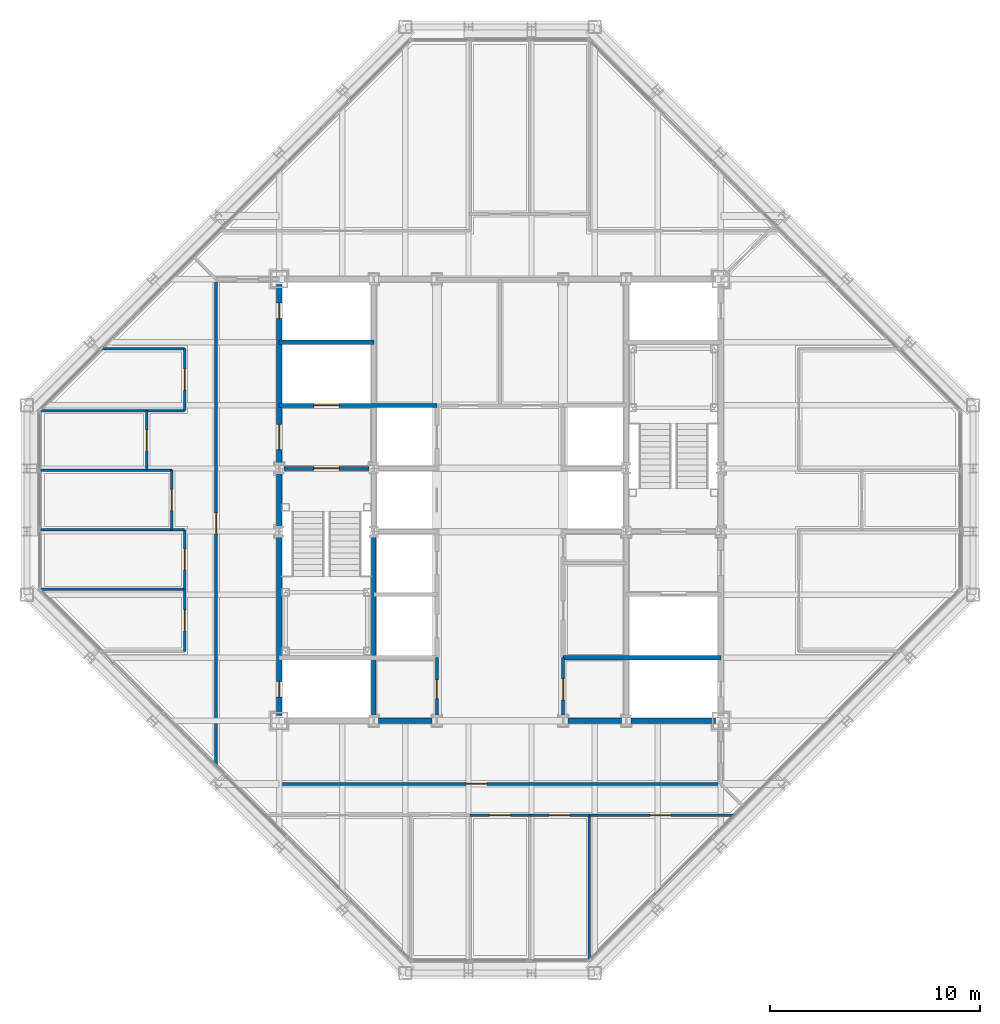
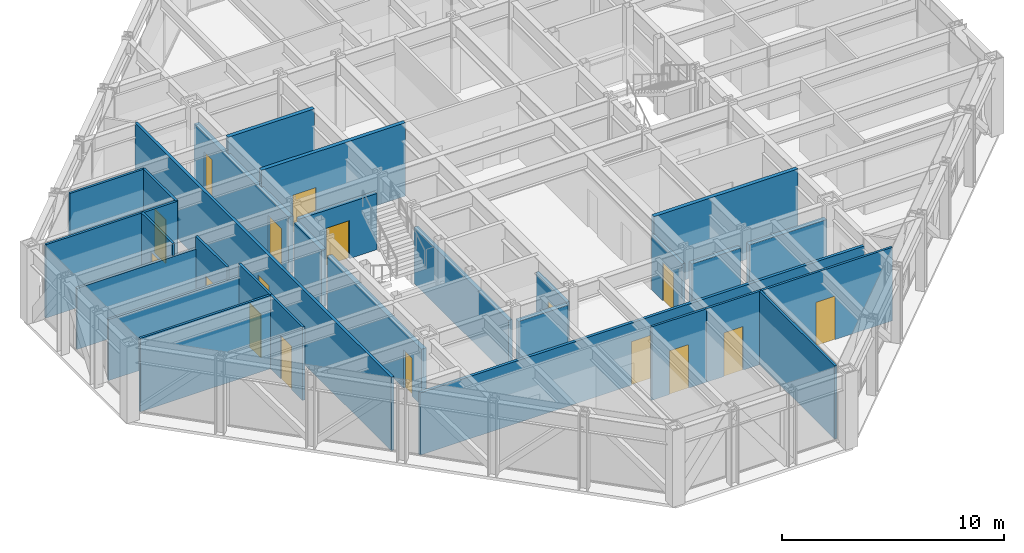
# One storey, part 10 of 15: 29 walls, 17 doors, 17 openings.
"""IFC4 building model written with IfcOpenShell, lengths in metres."""

from ifc_helpers import new_model, si_unit, direction, frame, frame_2d, origin, place, context, subcontext, project, spatial, rectangle, extrude, material, layer, layer_set, type_object, element, fill, save


model = new_model("IFC4")

# Units and contexts
model_context = context("Model", 3, precision=1e-05, world=origin(), true_north=direction((0.0, 1.0)))
body_context = subcontext(model_context, "Body", "Model", "MODEL_VIEW")
ifc_project = project(units=[si_unit("LENGTHUNIT", "METRE"), si_unit("AREAUNIT", "SQUARE_METRE"), si_unit("VOLUMEUNIT", "CUBIC_METRE"), si_unit("PLANEANGLEUNIT", "RADIAN"), si_unit("MASSUNIT", "GRAM", prefix="KILO")], contexts=[model_context])

# Site, building, storey
site_placement = place(None, origin())
site = spatial("IfcSite", under=ifc_project, at=site_placement, CompositionType="ELEMENT")
building_placement = place(site_placement, origin())
building = spatial("IfcBuilding", under=site, at=building_placement, Name="Chuquiago Exchange Tower", CompositionType="ELEMENT")
storey_placement = place(building_placement, frame((0.0, 0.0, 274.800048828125)))
storey = spatial("IfcBuildingStorey", under=building, at=storey_placement, Name="L61", CompositionType="ELEMENT", Elevation=274.800048828125)

# Wall, opening, door
ifc_material_1 = material(Name="Concrete masonry, fully grouted", Category="masonry")
ifc_layer_1 = layer(ifc_material_1, 0.25)
ifc_layer_set_1 = layer_set([ifc_layer_1], Name="W1 core wall 250")
wall_type_1 = type_object("IfcWallType", Name="W1 core wall 250", PredefinedType="SOLIDWALL", material=ifc_layer_set_1)
wall_1_placement = place(storey_placement, frame((12.0, 12.25, 0.0), z_axis=(0.0, 0.0, 1.0), x_axis=(0.0, 1.0, 0.0)))
wall_1 = element("IfcWall", 1, at=wall_1_placement, inside=storey, type_object=wall_type_1, Name="CW-L61-00-0", PredefinedType="SOLIDWALL", context=body_context, shape_type="SweptSolid", body=[
    extrude(rectangle(XDim=8.5, YDim=0.25, at=frame_2d((4.25, 0.0))), origin(), (0.0, 0.0, 1.0), 3.11279296875),
])
opening_1_placement = place(wall_1_placement, frame((0.875, 0.0, 0.0)))
opening_1 = element("IfcOpeningElement", 2, at=opening_1_placement, cuts=wall_1, Name="Opening L61-007", PredefinedType="OPENING", context=body_context, shape_type="SweptSolid", body=[
    extrude(rectangle(XDim=0.75, YDim=2.10009765625, at=frame_2d((0.375, 1.050048828125))), frame((0.0, 0.135009765625, 0.0), z_axis=(0.0, -1.0, 0.0), x_axis=(1.0, 0.0, 0.0)), (0.0, 0.0, 1.0), 0.27001953125),
])
ifc_material_2 = material(Name="Steel door, painted", Category="steel")
door_type_1 = type_object("IfcDoorType", Name="D6 riser access door 750x2100", OperationType="SINGLE_SWING_LEFT", PredefinedType="DOOR", material=ifc_material_2)
door_1_placement = place(opening_1_placement, origin())
door_1 = element("IfcDoor", 3, at=door_1_placement, inside=storey, type_object=door_type_1, Name="Riser RW1 door", OperationType="SINGLE_SWING_LEFT", OverallHeight=2.10009765625, OverallWidth=0.75, PredefinedType="DOOR", context=body_context, shape_type="SweptSolid", body=[
    extrude(rectangle(XDim=0.75, YDim=2.10009765625, at=frame_2d((0.375, 1.050048828125))), frame((0.0, 0.02490234375, 0.0), z_axis=(0.0, -1.0, 0.0), x_axis=(1.0, 0.0, 0.0)), (0.0, 0.0, 1.0), 0.050048828125),
])
fill(opening_1, door_1)

# Wall
wall_2_placement = place(storey_placement, frame((12.0, 21.25, 0.0), z_axis=(0.0, 0.0, 1.0), x_axis=(0.0, 1.0, 0.0)))
element("IfcWall", 4, at=wall_2_placement, inside=storey, type_object=wall_type_1, Name="CW-L61-00-1", PredefinedType="SOLIDWALL", context=body_context, shape_type="SweptSolid", body=[
    extrude(rectangle(XDim=2.5, YDim=0.25, at=frame_2d((1.25, 0.0))), origin(), (0.0, 0.0, 1.0), 3.11279296875),
])

# Wall, openings, doors
wall_3_placement = place(storey_placement, frame((12.0, 24.25, 0.0), z_axis=(0.0, 0.0, 1.0), x_axis=(0.0, 1.0, 0.0)))
wall_3 = element("IfcWall", 5, at=wall_3_placement, inside=storey, type_object=wall_type_1, Name="CW-L61-00-2", PredefinedType="SOLIDWALL", context=body_context, shape_type="SweptSolid", body=[
    extrude(rectangle(XDim=8.5, YDim=0.25, at=frame_2d((4.25, 0.0))), origin(), (0.0, 0.0, 1.0), 3.11279296875),
])
opening_2_placement = place(wall_3_placement, frame((0.64990234375, 0.0, 0.0)))
opening_2 = element("IfcOpeningElement", 6, at=opening_2_placement, cuts=wall_3, Name="Opening L61-002", PredefinedType="OPENING", context=body_context, shape_type="SweptSolid", body=[
    extrude(rectangle(XDim=1.199951171875, YDim=2.10009765625, at=frame_2d((0.60009765625, 1.050048828125))), frame((0.0, 0.135009765625, 0.0), z_axis=(0.0, -1.0, 0.0), x_axis=(1.0, 0.0, 0.0)), (0.0, 0.0, 1.0), 0.27001953125),
])
opening_3_placement = place(wall_3_placement, frame((6.875, 0.0, 0.0)))
opening_3 = element("IfcOpeningElement", 7, at=opening_3_placement, cuts=wall_3, Name="Opening L61-008", PredefinedType="OPENING", context=body_context, shape_type="SweptSolid", body=[
    extrude(rectangle(XDim=0.75, YDim=2.10009765625, at=frame_2d((0.375, 1.050048828125))), frame((0.0, 0.135009765625, 0.0), z_axis=(0.0, -1.0, 0.0), x_axis=(1.0, 0.0, 0.0)), (0.0, 0.0, 1.0), 0.27001953125),
])
ifc_material_3 = material(Name="Steel door, painted", Category="steel")
door_type_2 = type_object("IfcDoorType", Name="D5 firefighting lobby door 1200x2100", OperationType="SINGLE_SWING_LEFT", PredefinedType="DOOR", material=ifc_material_3)
door_2_placement = place(opening_2_placement, frame((1.199951171875, 0.0, 0.0), z_axis=(0.0, 0.0, 1.0), x_axis=(-1.0, 0.0, 0.0)))
door_2 = element("IfcDoor", 8, at=door_2_placement, inside=storey, type_object=door_type_2, Name="Firefighting lobby 1 door", OperationType="SINGLE_SWING_RIGHT", OverallHeight=2.10009765625, OverallWidth=1.199951171875, PredefinedType="DOOR", context=body_context, shape_type="SweptSolid", body=[
    extrude(rectangle(XDim=1.199951171875, YDim=2.10009765625, at=frame_2d((0.60009765625, 1.050048828125))), frame((0.0, 0.02490234375, 0.0), z_axis=(0.0, -1.0, 0.0), x_axis=(1.0, 0.0, 0.0)), (0.0, 0.0, 1.0), 0.050048828125),
])
fill(opening_2, door_2)
door_3_placement = place(opening_3_placement, origin())
door_3 = element("IfcDoor", 9, at=door_3_placement, inside=storey, type_object=door_type_1, Name="Riser RW2 door", OperationType="SINGLE_SWING_RIGHT", OverallHeight=2.10009765625, OverallWidth=0.75, PredefinedType="DOOR", context=body_context, shape_type="SweptSolid", body=[
    extrude(rectangle(XDim=0.75, YDim=2.10009765625, at=frame_2d((0.375, 1.050048828125))), frame((0.0, 0.02490234375, 0.0), z_axis=(0.0, -1.0, 0.0), x_axis=(1.0, 0.0, 0.0)), (0.0, 0.0, 1.0), 0.050048828125),
])
fill(opening_3, door_3)

# Walls
for number, where, z_axis, x_axis, name in (
    (10, (16.724853515625, 12.0, 0.0), (0.0, 0.0, 1.0), (1.0, 0.0, 0.0), "CW-L61-01-1"),
    (11, (25.724853515625, 12.0, 0.0), (0.0, 0.0, 1.0), (1.0, 0.0, 0.0), "CW-L61-02-0"),
):
    element("IfcWall", number, at=place(storey_placement, frame(where, z_axis=z_axis, x_axis=x_axis)), inside=storey, type_object=wall_type_1, Name=name, PredefinedType="SOLIDWALL", context=body_context, shape_type="SweptSolid", body=[
        extrude(rectangle(XDim=2.55029296875, YDim=0.25, at=frame_2d((1.275146484375, 0.0))), origin(), (0.0, 0.0, 1.0), 3.181396484375),
    ])
wall_4_placement = place(storey_placement, frame((28.724853515625, 12.0, 0.0), z_axis=(0.0, 0.0, 1.0), x_axis=(1.0, 0.0, 0.0)))
element("IfcWall", 12, at=wall_4_placement, inside=storey, type_object=wall_type_1, Name="CW-L61-02-1", PredefinedType="SOLIDWALL", context=body_context, shape_type="SweptSolid", body=[
    extrude(rectangle(XDim=4.025146484375, YDim=0.25, at=frame_2d((2.0126953125, 0.0))), origin(), (0.0, 0.0, 1.0), 3.181396484375),
])

# Wall, opening, door
ifc_material_4 = material(Name="Gypsum board on steel studs, acoustic insulation", Category="steel")
ifc_layer_2 = layer(ifc_material_4, 0.14990234375)
ifc_layer_set_2 = layer_set([ifc_layer_2], Name="W11 corridor wall 150")
wall_type_2 = type_object("IfcWallType", Name="W11 corridor wall 150", PredefinedType="PARTITIONING", material=ifc_layer_set_2)
wall_5_placement = place(storey_placement, frame((9.885498046875, 9.0, 0.0), z_axis=(0.0, 0.0, 1.0), x_axis=(1.0, 0.0, 0.0)))
wall_5 = element("IfcWall", 13, at=wall_5_placement, inside=storey, type_object=wall_type_2, Name="PW-L61-GS0", PredefinedType="PARTITIONING", context=body_context, shape_type="SweptSolid", body=[
    extrude(rectangle(XDim=23.114501953125, YDim=0.14990234375, at=frame_2d((11.55712890625, 0.0))), origin(), (0.0, 0.0, 1.0), 3.427734375),
])
opening_4_placement = place(wall_5_placement, frame((11.005615234375, 0.0, 0.0)))
opening_4 = element("IfcOpeningElement", 14, at=opening_4_placement, cuts=wall_5, Name="Opening L61-038", PredefinedType="OPENING", context=body_context, shape_type="SweptSolid", body=[
    extrude(rectangle(XDim=1.0, YDim=2.39990234375, at=frame_2d((0.5, 1.199951171875))), frame((0.0, 0.0849609375, 0.0), z_axis=(0.0, -1.0, 0.0), x_axis=(1.0, 0.0, 0.0)), (0.0, 0.0, 1.0), 0.169921875),
])
ifc_material_5 = material(Name="Timber door, laminate faced", Category="wood")
door_type_3 = type_object("IfcDoorType", Name="D9 room door 1000x2400", OperationType="SINGLE_SWING_LEFT", PredefinedType="DOOR", material=ifc_material_5)
door_4_placement = place(opening_4_placement, frame((1.0, 0.0, 0.0), z_axis=(0.0, 0.0, 1.0), x_axis=(-1.0, 0.0, 0.0)))
door_4 = element("IfcDoor", 15, at=door_4_placement, inside=storey, type_object=door_type_3, Name="Team area door", OperationType="SINGLE_SWING_RIGHT", OverallHeight=2.39990234375, OverallWidth=1.0, PredefinedType="DOOR", context=body_context, shape_type="SweptSolid", body=[
    extrude(rectangle(XDim=1.0, YDim=2.39990234375, at=frame_2d((0.5, 1.199951171875))), frame((0.0, 0.02490234375, 0.0), z_axis=(0.0, -1.0, 0.0), x_axis=(1.0, 0.0, 0.0)), (0.0, 0.0, 1.0), 0.050048828125),
])
fill(opening_4, door_4)

wall_6_placement = place(storey_placement, frame((9.0, 9.885498046875, 0.0), z_axis=(0.0, 0.0, 1.0), x_axis=(0.0, 1.0, 0.0)))
wall_6 = element("IfcWall", 16, at=wall_6_placement, inside=storey, type_object=wall_type_2, Name="PW-L61-GW0", PredefinedType="PARTITIONING", context=body_context, shape_type="SweptSolid", body=[
    extrude(rectangle(XDim=23.114501953125, YDim=0.14990234375, at=frame_2d((11.55712890625, 0.0))), origin(), (0.0, 0.0, 1.0), 4.0400390625),
])
opening_5_placement = place(wall_6_placement, frame((11.005615234375, 0.0, 0.0)))
opening_5 = element("IfcOpeningElement", 17, at=opening_5_placement, cuts=wall_6, Name="Opening L61-039", PredefinedType="OPENING", context=body_context, shape_type="SweptSolid", body=[
    extrude(rectangle(XDim=1.0, YDim=2.39990234375, at=frame_2d((0.5, 1.199951171875))), frame((0.0, 0.0849609375, 0.0), z_axis=(0.0, -1.0, 0.0), x_axis=(1.0, 0.0, 0.0)), (0.0, 0.0, 1.0), 0.169921875),
])
door_5_placement = place(opening_5_placement, origin())
door_5 = element("IfcDoor", 18, at=door_5_placement, inside=storey, type_object=door_type_3, Name="Team area door", OperationType="SINGLE_SWING_LEFT", OverallHeight=2.39990234375, OverallWidth=1.0, PredefinedType="DOOR", context=body_context, shape_type="SweptSolid", body=[
    extrude(rectangle(XDim=1.0, YDim=2.39990234375, at=frame_2d((0.5, 1.199951171875))), frame((0.0, 0.02490234375, 0.0), z_axis=(0.0, -1.0, 0.0), x_axis=(1.0, 0.0, 0.0)), (0.0, 0.0, 1.0), 0.050048828125),
])
fill(opening_5, door_5)

# Wall
ifc_material_6 = material(Name="Concrete masonry, fully grouted", Category="masonry")
ifc_layer_3 = layer(ifc_material_6, 0.199951171875)
ifc_layer_set_3 = layer_set([ifc_layer_3], Name="W2 shaft wall 200")
wall_type_3 = type_object("IfcWallType", Name="W2 shaft wall 200", PredefinedType="SOLIDWALL", material=ifc_layer_set_3)
wall_7_placement = place(storey_placement, frame((25.5, 15.0, 0.0), z_axis=(0.0, 0.0, 1.0), x_axis=(1.0, 0.0, 0.0)))
element("IfcWall", 19, at=wall_7_placement, inside=storey, type_object=wall_type_3, Name="CW-L61-04-0", PredefinedType="SOLIDWALL", context=body_context, shape_type="SweptSolid", body=[
    extrude(rectangle(XDim=7.5, YDim=0.199951171875, at=frame_2d((3.75, 0.0))), origin(), (0.0, 0.0, 1.0), 4.0400390625),
])

# Wall, opening, door
wall_8_placement = place(storey_placement, frame((12.224853515625, 24.0, 0.0), z_axis=(0.0, 0.0, 1.0), x_axis=(1.0, 0.0, 0.0)))
wall_8 = element("IfcWall", 20, at=wall_8_placement, inside=storey, type_object=wall_type_3, Name="CW-L61-05-0", PredefinedType="SOLIDWALL", context=body_context, shape_type="SweptSolid", body=[
    extrude(rectangle(XDim=4.05029296875, YDim=0.199951171875, at=frame_2d((2.025146484375, 0.0))), origin(), (0.0, 0.0, 1.0), 3.08984375),
])
opening_6_placement = place(wall_8_placement, frame((1.42529296875, 0.0, 0.0)))
opening_6 = element("IfcOpeningElement", 21, at=opening_6_placement, cuts=wall_8, Name="Opening L61-001", PredefinedType="OPENING", context=body_context, shape_type="SweptSolid", body=[
    extrude(rectangle(XDim=1.199951171875, YDim=2.10009765625, at=frame_2d((0.60009765625, 1.050048828125))), frame((0.0, 0.10986328125, 0.0), z_axis=(0.0, -1.0, 0.0), x_axis=(1.0, 0.0, 0.0)), (0.0, 0.0, 1.0), 0.219970703125),
])
ifc_material_7 = material(Name="Steel door, painted", Category="steel")
door_type_4 = type_object("IfcDoorType", Name="D4 stair door 1200x2100", OperationType="SINGLE_SWING_LEFT", PredefinedType="DOOR", material=ifc_material_7)
door_6_placement = place(opening_6_placement, frame((1.199951171875, 0.0, 0.0), z_axis=(0.0, 0.0, 1.0), x_axis=(-1.0, 0.0, 0.0)))
door_6 = element("IfcDoor", 22, at=door_6_placement, inside=storey, type_object=door_type_4, Name="Stair ST1 door", OperationType="SINGLE_SWING_RIGHT", OverallHeight=2.10009765625, OverallWidth=1.199951171875, PredefinedType="DOOR", context=body_context, shape_type="SweptSolid", body=[
    extrude(rectangle(XDim=1.199951171875, YDim=2.10009765625, at=frame_2d((0.60009765625, 1.050048828125))), frame((0.0, 0.02490234375, 0.0), z_axis=(0.0, -1.0, 0.0), x_axis=(1.0, 0.0, 0.0)), (0.0, 0.0, 1.0), 0.050048828125),
])
fill(opening_6, door_6)

wall_9_placement = place(storey_placement, frame((12.0, 27.0, 0.0), z_axis=(0.0, 0.0, 1.0), x_axis=(1.0, 0.0, 0.0)))
wall_9 = element("IfcWall", 23, at=wall_9_placement, inside=storey, type_object=wall_type_3, Name="CW-L61-07-0", PredefinedType="SOLIDWALL", context=body_context, shape_type="SweptSolid", body=[
    extrude(rectangle(XDim=7.5, YDim=0.199951171875, at=frame_2d((3.75, 0.0))), origin(), (0.0, 0.0, 1.0), 4.0400390625),
])
opening_7_placement = place(wall_9_placement, frame((1.64990234375, 0.0, 0.0)))
opening_7 = element("IfcOpeningElement", 24, at=opening_7_placement, cuts=wall_9, Name="Opening L61-005", PredefinedType="OPENING", context=body_context, shape_type="SweptSolid", body=[
    extrude(rectangle(XDim=1.199951171875, YDim=2.10009765625, at=frame_2d((0.60009765625, 1.050048828125))), frame((0.0, 0.10986328125, 0.0), z_axis=(0.0, -1.0, 0.0), x_axis=(1.0, 0.0, 0.0)), (0.0, 0.0, 1.0), 0.219970703125),
])
ifc_material_8 = material(Name="Stainless steel lift landing door", Category="steel")
door_type_5 = type_object("IfcDoorType", Name="LD2 firefighting lift landing door 1200x2100", OperationType="DOUBLE_DOOR_SLIDING", PredefinedType="DOOR", material=ifc_material_8)
door_7_placement = place(opening_7_placement, origin())
door_7 = element("IfcDoor", 25, at=door_7_placement, inside=storey, type_object=door_type_5, Name="Firefighting lift FL1 landing door", OperationType="DOUBLE_DOOR_SLIDING", OverallHeight=2.10009765625, OverallWidth=1.199951171875, PredefinedType="DOOR", context=body_context, shape_type="SweptSolid", body=[
    extrude(rectangle(XDim=1.199951171875, YDim=2.10009765625, at=frame_2d((0.60009765625, 1.050048828125))), frame((0.0, 0.02490234375, 0.0), z_axis=(0.0, -1.0, 0.0), x_axis=(1.0, 0.0, 0.0)), (0.0, 0.0, 1.0), 0.050048828125),
])
fill(opening_7, door_7)

# Walls
wall_10_placement = place(storey_placement, frame((12.0, 30.0, 0.0), z_axis=(0.0, 0.0, 1.0), x_axis=(1.0, 0.0, 0.0)))
element("IfcWall", 26, at=wall_10_placement, inside=storey, type_object=wall_type_3, Name="CW-L61-09-0", PredefinedType="SOLIDWALL", context=body_context, shape_type="SweptSolid", body=[
    extrude(rectangle(XDim=4.5, YDim=0.199951171875, at=frame_2d((2.25, 0.0))), origin(), (0.0, 0.0, 1.0), 4.0400390625),
])
wall_11_placement = place(storey_placement, frame((16.5, 12.25, 0.0), z_axis=(0.0, 0.0, 1.0), x_axis=(0.0, 1.0, 0.0)))
element("IfcWall", 27, at=wall_11_placement, inside=storey, type_object=wall_type_3, Name="CW-L61-13-0", PredefinedType="SOLIDWALL", context=body_context, shape_type="SweptSolid", body=[
    extrude(rectangle(XDim=8.5, YDim=0.199951171875, at=frame_2d((4.25, 0.0))), origin(), (0.0, 0.0, 1.0), 3.11279296875),
])

# Wall, opening, door
ifc_material_9 = material(Name="Gypsum board on steel studs", Category="steel")
ifc_layer_4 = layer(ifc_material_9, 0.14990234375)
ifc_layer_set_4 = layer_set([ifc_layer_4], Name="W3 core partition 150")
wall_type_4 = type_object("IfcWallType", Name="W3 core partition 150", PredefinedType="PARTITIONING", material=ifc_layer_set_4)
wall_12_placement = place(storey_placement, frame((19.5, 12.25, 0.0), z_axis=(0.0, 0.0, 1.0), x_axis=(0.0, 1.0, 0.0)))
wall_12 = element("IfcWall", 28, at=wall_12_placement, inside=storey, type_object=wall_type_4, Name="CW-L61-18-0", PredefinedType="PARTITIONING", context=body_context, shape_type="SweptSolid", body=[
    extrude(rectangle(XDim=2.75, YDim=0.14990234375, at=frame_2d((1.375, 0.0))), origin(), (0.0, 0.0, 1.0), 3.064453125),
])
opening_8_placement = place(wall_12_placement, frame((0.800048828125, 0.0, 0.0)))
opening_8 = element("IfcOpeningElement", 29, at=opening_8_placement, cuts=wall_12, Name="Opening L61-016", PredefinedType="OPENING", context=body_context, shape_type="SweptSolid", body=[
    extrude(rectangle(XDim=0.89990234375, YDim=2.10009765625, at=frame_2d((0.449951171875, 1.050048828125))), frame((0.0, 0.0849609375, 0.0), z_axis=(0.0, -1.0, 0.0), x_axis=(1.0, 0.0, 0.0)), (0.0, 0.0, 1.0), 0.169921875),
])
ifc_material_10 = material(Name="Timber door, laminate faced", Category="wood")
door_type_6 = type_object("IfcDoorType", Name="D7 toilet door 900x2100", OperationType="SINGLE_SWING_LEFT", PredefinedType="DOOR", material=ifc_material_10)
door_8_placement = place(opening_8_placement, frame((0.89990234375, 0.0, 0.0), z_axis=(0.0, 0.0, 1.0), x_axis=(-1.0, 0.0, 0.0)))
door_8 = element("IfcDoor", 30, at=door_8_placement, inside=storey, type_object=door_type_6, Name="Cleaner door", OperationType="SINGLE_SWING_RIGHT", OverallHeight=2.10009765625, OverallWidth=0.89990234375, PredefinedType="DOOR", context=body_context, shape_type="SweptSolid", body=[
    extrude(rectangle(XDim=0.89990234375, YDim=2.10009765625, at=frame_2d((0.449951171875, 1.050048828125))), frame((0.0, 0.02490234375, 0.0), z_axis=(0.0, -1.0, 0.0), x_axis=(1.0, 0.0, 0.0)), (0.0, 0.0, 1.0), 0.050048828125),
])
fill(opening_8, door_8)

wall_13_placement = place(storey_placement, frame((25.5, 12.25, 0.0), z_axis=(0.0, 0.0, 1.0), x_axis=(0.0, 1.0, 0.0)))
wall_13 = element("IfcWall", 31, at=wall_13_placement, inside=storey, type_object=wall_type_4, Name="CW-L61-21-0", PredefinedType="PARTITIONING", context=body_context, shape_type="SweptSolid", body=[
    extrude(rectangle(XDim=2.75, YDim=0.14990234375, at=frame_2d((1.375, 0.0))), origin(), (0.0, 0.0, 1.0), 3.064453125),
])
opening_9_placement = place(wall_13_placement, frame((0.75, 0.0, 0.0)))
opening_9 = element("IfcOpeningElement", 32, at=opening_9_placement, cuts=wall_13, Name="Opening L61-013", PredefinedType="OPENING", context=body_context, shape_type="SweptSolid", body=[
    extrude(rectangle(XDim=1.0, YDim=2.10009765625, at=frame_2d((0.5, 1.050048828125))), frame((0.0, 0.0849609375, 0.0), z_axis=(0.0, -1.0, 0.0), x_axis=(1.0, 0.0, 0.0)), (0.0, 0.0, 1.0), 0.169921875),
])
ifc_material_11 = material(Name="Timber door, laminate faced", Category="wood")
door_type_7 = type_object("IfcDoorType", Name="D8 accessible toilet door 1000x2100", OperationType="SLIDING_TO_LEFT", PredefinedType="DOOR", material=ifc_material_11)
door_9_placement = place(opening_9_placement, origin())
door_9 = element("IfcDoor", 33, at=door_9_placement, inside=storey, type_object=door_type_7, Name="Accessible WC door", OperationType="SLIDING_TO_LEFT", OverallHeight=2.10009765625, OverallWidth=1.0, PredefinedType="DOOR", context=body_context, shape_type="SweptSolid", body=[
    extrude(rectangle(XDim=1.0, YDim=2.10009765625, at=frame_2d((0.5, 1.050048828125))), frame((0.0, 0.02490234375, 0.0), z_axis=(0.0, -1.0, 0.0), x_axis=(1.0, 0.0, 0.0)), (0.0, 0.0, 1.0), 0.050048828125),
])
fill(opening_9, door_9)

# Wall
ifc_material_12 = material(Name="Gypsum board on steel studs", Category="steel")
ifc_layer_5 = layer(ifc_material_12, 0.1201171875)
ifc_layer_set_5 = layer_set([ifc_layer_5], Name="W4 partition 120")
wall_type_5 = type_object("IfcWallType", Name="W4 partition 120", PredefinedType="PARTITIONING", material=ifc_layer_set_5)
wall_14_placement = place(storey_placement, frame((26.75146484375, 0.666015625, 0.0), z_axis=(0.0, 0.0, 1.0), x_axis=(0.0, 1.0, 0.0)))
element("IfcWall", 34, at=wall_14_placement, inside=storey, type_object=wall_type_5, Name="PW-L61-S02675", PredefinedType="PARTITIONING", context=body_context, shape_type="SweptSolid", body=[
    extrude(rectangle(XDim=6.833984375, YDim=0.1201171875, at=frame_2d((3.4169921875, 0.0))), origin(), (0.0, 0.0, 1.0), 4.0400390625),
])

# Wall, opening, door
wall_15_placement = place(storey_placement, frame((21.082763671875, 7.5, 0.0), z_axis=(0.0, 0.0, 1.0), x_axis=(1.0, 0.0, 0.0)))
wall_15 = element("IfcWall", 35, at=wall_15_placement, inside=storey, type_object=wall_type_5, Name="PW-L61-SF02108", PredefinedType="PARTITIONING", context=body_context, shape_type="SweptSolid", body=[
    extrude(rectangle(XDim=2.83447265625, YDim=0.1201171875, at=frame_2d((1.417236328125, 0.0))), origin(), (0.0, 0.0, 1.0), 4.0400390625),
])
opening_10_placement = place(wall_15_placement, frame((0.917236328125, 0.0, 0.0)))
opening_10 = element("IfcOpeningElement", 36, at=opening_10_placement, cuts=wall_15, Name="Opening L61-023", PredefinedType="OPENING", context=body_context, shape_type="SweptSolid", body=[
    extrude(rectangle(XDim=1.0, YDim=2.39990234375, at=frame_2d((0.5, 1.199951171875))), frame((0.0, 0.070068359375, 0.0), z_axis=(0.0, -1.0, 0.0), x_axis=(1.0, 0.0, 0.0)), (0.0, 0.0, 1.0), 0.14013671875),
])
ifc_material_13 = material(Name="Timber frame door, full height glazed panel", Category="wood")
door_type_8 = type_object("IfcDoorType", Name="D14 glazed meeting room door 1000x2400", OperationType="SINGLE_SWING_LEFT", PredefinedType="DOOR", material=ifc_material_13)
door_10_placement = place(opening_10_placement, frame((1.0, 0.0, 0.0), z_axis=(0.0, 0.0, 1.0), x_axis=(-1.0, 0.0, 0.0)))
door_10 = element("IfcDoor", 37, at=door_10_placement, inside=storey, type_object=door_type_8, Name="Meeting room door", OperationType="SINGLE_SWING_RIGHT", OverallHeight=2.39990234375, OverallWidth=1.0, PredefinedType="DOOR", context=body_context, shape_type="SweptSolid", body=[
    extrude(rectangle(XDim=1.0, YDim=2.39990234375, at=frame_2d((0.5, 1.199951171875))), frame((0.0, 0.02490234375, 0.0), z_axis=(0.0, -1.0, 0.0), x_axis=(1.0, 0.0, 0.0)), (0.0, 0.0, 1.0), 0.050048828125),
])
fill(opening_10, door_10)

wall_16_placement = place(storey_placement, frame((23.917236328125, 7.5, 0.0), z_axis=(0.0, 0.0, 1.0), x_axis=(1.0, 0.0, 0.0)))
wall_16 = element("IfcWall", 38, at=wall_16_placement, inside=storey, type_object=wall_type_5, Name="PW-L61-SF02392", PredefinedType="PARTITIONING", context=body_context, shape_type="SweptSolid", body=[
    extrude(rectangle(XDim=2.834228515625, YDim=0.1201171875, at=frame_2d((1.4169921875, 0.0))), origin(), (0.0, 0.0, 1.0), 4.0400390625),
])
opening_11_placement = place(wall_16_placement, frame((0.9169921875, 0.0, 0.0)))
opening_11 = element("IfcOpeningElement", 39, at=opening_11_placement, cuts=wall_16, Name="Opening L61-024", PredefinedType="OPENING", context=body_context, shape_type="SweptSolid", body=[
    extrude(rectangle(XDim=1.0, YDim=2.39990234375, at=frame_2d((0.5, 1.199951171875))), frame((0.0, 0.070068359375, 0.0), z_axis=(0.0, -1.0, 0.0), x_axis=(1.0, 0.0, 0.0)), (0.0, 0.0, 1.0), 0.14013671875),
])
door_11_placement = place(opening_11_placement, frame((1.0, 0.0, 0.0), z_axis=(0.0, 0.0, 1.0), x_axis=(-1.0, 0.0, 0.0)))
door_11 = element("IfcDoor", 40, at=door_11_placement, inside=storey, type_object=door_type_8, Name="Meeting room door", OperationType="SINGLE_SWING_RIGHT", OverallHeight=2.39990234375, OverallWidth=1.0, PredefinedType="DOOR", context=body_context, shape_type="SweptSolid", body=[
    extrude(rectangle(XDim=1.0, YDim=2.39990234375, at=frame_2d((0.5, 1.199951171875))), frame((0.0, 0.02490234375, 0.0), z_axis=(0.0, -1.0, 0.0), x_axis=(1.0, 0.0, 0.0)), (0.0, 0.0, 1.0), 0.050048828125),
])
fill(opening_11, door_11)

wall_17_placement = place(storey_placement, frame((26.75146484375, 7.5, 0.0), z_axis=(0.0, 0.0, 1.0), x_axis=(1.0, 0.0, 0.0)))
wall_17 = element("IfcWall", 41, at=wall_17_placement, inside=storey, type_object=wall_type_5, Name="PW-L61-SF02675", PredefinedType="PARTITIONING", context=body_context, shape_type="SweptSolid", body=[
    extrude(rectangle(XDim=6.863037109375, YDim=0.1201171875, at=frame_2d((3.431640625, 0.0))), origin(), (0.0, 0.0, 1.0), 4.0400390625),
])
opening_12_placement = place(wall_17_placement, frame((2.87939453125, 0.0, 0.0)))
opening_12 = element("IfcOpeningElement", 42, at=opening_12_placement, cuts=wall_17, Name="Opening L61-025", PredefinedType="OPENING", context=body_context, shape_type="SweptSolid", body=[
    extrude(rectangle(XDim=1.0, YDim=2.39990234375, at=frame_2d((0.5, 1.199951171875))), frame((0.0, 0.070068359375, 0.0), z_axis=(0.0, -1.0, 0.0), x_axis=(1.0, 0.0, 0.0)), (0.0, 0.0, 1.0), 0.14013671875),
])
door_12_placement = place(opening_12_placement, frame((1.0, 0.0, 0.0), z_axis=(0.0, 0.0, 1.0), x_axis=(-1.0, 0.0, 0.0)))
door_12 = element("IfcDoor", 43, at=door_12_placement, inside=storey, type_object=door_type_8, Name="Conference room door", OperationType="SINGLE_SWING_LEFT", OverallHeight=2.39990234375, OverallWidth=1.0, PredefinedType="DOOR", context=body_context, shape_type="SweptSolid", body=[
    extrude(rectangle(XDim=1.0, YDim=2.39990234375, at=frame_2d((0.5, 1.199951171875))), frame((0.0, 0.02490234375, 0.0), z_axis=(0.0, -1.0, 0.0), x_axis=(1.0, 0.0, 0.0)), (0.0, 0.0, 1.0), 0.050048828125),
])
fill(opening_12, door_12)

# Walls
wall_18_placement = place(storey_placement, frame((0.666015625, 18.24853515625, 0.0), z_axis=(0.0, 0.0, 1.0), x_axis=(1.0, 0.0, 0.0)))
element("IfcWall", 44, at=wall_18_placement, inside=storey, type_object=wall_type_5, Name="PW-L61-W01825", PredefinedType="PARTITIONING", context=body_context, shape_type="SweptSolid", body=[
    extrude(rectangle(XDim=6.833984375, YDim=0.1201171875, at=frame_2d((3.4169921875, 0.0))), origin(), (0.0, 0.0, 1.0), 4.0400390625),
])
wall_19_placement = place(storey_placement, frame((0.652587890625, 21.082763671875, 0.0), z_axis=(0.0, 0.0, 1.0), x_axis=(1.0, 0.0, 0.0)))
element("IfcWall", 45, at=wall_19_placement, inside=storey, type_object=wall_type_5, Name="PW-L61-W02108", PredefinedType="PARTITIONING", context=body_context, shape_type="SweptSolid", body=[
    extrude(rectangle(XDim=6.847412109375, YDim=0.1201171875, at=frame_2d((3.423828125, 0.0))), origin(), (0.0, 0.0, 1.0), 3.356689453125),
])
wall_20_placement = place(storey_placement, frame((0.652587890625, 23.917236328125, 0.0), z_axis=(0.0, 0.0, 1.0), x_axis=(1.0, 0.0, 0.0)))
element("IfcWall", 46, at=wall_20_placement, inside=storey, type_object=wall_type_5, Name="PW-L61-W02392", PredefinedType="PARTITIONING", context=body_context, shape_type="SweptSolid", body=[
    extrude(rectangle(XDim=6.247314453125, YDim=0.1201171875, at=frame_2d((3.12353515625, 0.0))), origin(), (0.0, 0.0, 1.0), 3.356689453125),
])
wall_21_placement = place(storey_placement, frame((0.666015625, 26.75146484375, 0.0), z_axis=(0.0, 0.0, 1.0), x_axis=(1.0, 0.0, 0.0)))
element("IfcWall", 47, at=wall_21_placement, inside=storey, type_object=wall_type_5, Name="PW-L61-W02675", PredefinedType="PARTITIONING", context=body_context, shape_type="SweptSolid", body=[
    extrude(rectangle(XDim=6.833984375, YDim=0.1201171875, at=frame_2d((3.4169921875, 0.0))), origin(), (0.0, 0.0, 1.0), 4.0400390625),
])
wall_22_placement = place(storey_placement, frame((3.607421875, 29.69287109375, 0.0), z_axis=(0.0, 0.0, 1.0), x_axis=(1.0, 0.0, 0.0)))
element("IfcWall", 48, at=wall_22_placement, inside=storey, type_object=wall_type_5, Name="PW-L61-W02969", PredefinedType="PARTITIONING", context=body_context, shape_type="SweptSolid", body=[
    extrude(rectangle(XDim=3.892578125, YDim=0.1201171875, at=frame_2d((1.9462890625, 0.0))), origin(), (0.0, 0.0, 1.0), 4.0400390625),
])

# Wall, opening, door
wall_23_placement = place(storey_placement, frame((7.5, 15.30712890625, 0.0), z_axis=(0.0, 0.0, 1.0), x_axis=(0.0, 1.0, 0.0)))
wall_23 = element("IfcWall", 49, at=wall_23_placement, inside=storey, type_object=wall_type_5, Name="PW-L61-WF01531", PredefinedType="PARTITIONING", context=body_context, shape_type="SweptSolid", body=[
    extrude(rectangle(XDim=2.94140625, YDim=0.1201171875, at=frame_2d((1.470703125, 0.0))), origin(), (0.0, 0.0, 1.0), 4.0400390625),
])
opening_13_placement = place(wall_23_placement, frame((0.970703125, 0.0, 0.0)))
opening_13 = element("IfcOpeningElement", 50, at=opening_13_placement, cuts=wall_23, Name="Opening L61-033", PredefinedType="OPENING", context=body_context, shape_type="SweptSolid", body=[
    extrude(rectangle(XDim=1.0, YDim=2.39990234375, at=frame_2d((0.5, 1.199951171875))), frame((0.0, 0.070068359375, 0.0), z_axis=(0.0, -1.0, 0.0), x_axis=(1.0, 0.0, 0.0)), (0.0, 0.0, 1.0), 0.14013671875),
])
door_13_placement = place(opening_13_placement, origin())
door_13 = element("IfcDoor", 51, at=door_13_placement, inside=storey, type_object=door_type_3, Name="Office door", OperationType="SINGLE_SWING_RIGHT", OverallHeight=2.39990234375, OverallWidth=1.0, PredefinedType="DOOR", context=body_context, shape_type="SweptSolid", body=[
    extrude(rectangle(XDim=1.0, YDim=2.39990234375, at=frame_2d((0.5, 1.199951171875))), frame((0.0, 0.02490234375, 0.0), z_axis=(0.0, -1.0, 0.0), x_axis=(1.0, 0.0, 0.0)), (0.0, 0.0, 1.0), 0.050048828125),
])
fill(opening_13, door_13)

wall_24_placement = place(storey_placement, frame((7.5, 18.24853515625, 0.0), z_axis=(0.0, 0.0, 1.0), x_axis=(0.0, 1.0, 0.0)))
wall_24 = element("IfcWall", 52, at=wall_24_placement, inside=storey, type_object=wall_type_5, Name="PW-L61-WF01825", PredefinedType="PARTITIONING", context=body_context, shape_type="SweptSolid", body=[
    extrude(rectangle(XDim=2.834228515625, YDim=0.1201171875, at=frame_2d((1.4169921875, 0.0))), origin(), (0.0, 0.0, 1.0), 4.0400390625),
])
opening_14_placement = place(wall_24_placement, frame((0.9169921875, 0.0, 0.0)))
opening_14 = element("IfcOpeningElement", 53, at=opening_14_placement, cuts=wall_24, Name="Opening L61-034", PredefinedType="OPENING", context=body_context, shape_type="SweptSolid", body=[
    extrude(rectangle(XDim=1.0, YDim=2.39990234375, at=frame_2d((0.5, 1.199951171875))), frame((0.0, 0.070068359375, 0.0), z_axis=(0.0, -1.0, 0.0), x_axis=(1.0, 0.0, 0.0)), (0.0, 0.0, 1.0), 0.14013671875),
])
door_14_placement = place(opening_14_placement, origin())
door_14 = element("IfcDoor", 54, at=door_14_placement, inside=storey, type_object=door_type_3, Name="Office door", OperationType="SINGLE_SWING_LEFT", OverallHeight=2.39990234375, OverallWidth=1.0, PredefinedType="DOOR", context=body_context, shape_type="SweptSolid", body=[
    extrude(rectangle(XDim=1.0, YDim=2.39990234375, at=frame_2d((0.5, 1.199951171875))), frame((0.0, 0.02490234375, 0.0), z_axis=(0.0, -1.0, 0.0), x_axis=(1.0, 0.0, 0.0)), (0.0, 0.0, 1.0), 0.050048828125),
])
fill(opening_14, door_14)

wall_25_placement = place(storey_placement, frame((6.89990234375, 21.082763671875, 0.0), z_axis=(0.0, 0.0, 1.0), x_axis=(0.0, 1.0, 0.0)))
wall_25 = element("IfcWall", 55, at=wall_25_placement, inside=storey, type_object=wall_type_5, Name="PW-L61-WF02108", PredefinedType="PARTITIONING", context=body_context, shape_type="SweptSolid", body=[
    extrude(rectangle(XDim=2.83447265625, YDim=0.1201171875, at=frame_2d((1.417236328125, 0.0))), origin(), (0.0, 0.0, 1.0), 4.0400390625),
])
opening_15_placement = place(wall_25_placement, frame((0.917236328125, 0.0, 0.0)))
opening_15 = element("IfcOpeningElement", 56, at=opening_15_placement, cuts=wall_25, Name="Opening L61-035", PredefinedType="OPENING", context=body_context, shape_type="SweptSolid", body=[
    extrude(rectangle(XDim=1.0, YDim=2.39990234375, at=frame_2d((0.5, 1.199951171875))), frame((0.0, 0.070068359375, 0.0), z_axis=(0.0, -1.0, 0.0), x_axis=(1.0, 0.0, 0.0)), (0.0, 0.0, 1.0), 0.14013671875),
])
door_15_placement = place(opening_15_placement, origin())
door_15 = element("IfcDoor", 57, at=door_15_placement, inside=storey, type_object=door_type_3, Name="Pantry door", OperationType="SINGLE_SWING_LEFT", OverallHeight=2.39990234375, OverallWidth=1.0, PredefinedType="DOOR", context=body_context, shape_type="SweptSolid", body=[
    extrude(rectangle(XDim=1.0, YDim=2.39990234375, at=frame_2d((0.5, 1.199951171875))), frame((0.0, 0.02490234375, 0.0), z_axis=(0.0, -1.0, 0.0), x_axis=(1.0, 0.0, 0.0)), (0.0, 0.0, 1.0), 0.050048828125),
])
fill(opening_15, door_15)

wall_26_placement = place(storey_placement, frame((5.699951171875, 23.917236328125, 0.0), z_axis=(0.0, 0.0, 1.0), x_axis=(0.0, 1.0, 0.0)))
wall_26 = element("IfcWall", 58, at=wall_26_placement, inside=storey, type_object=wall_type_5, Name="PW-L61-WF02392", PredefinedType="PARTITIONING", context=body_context, shape_type="SweptSolid", body=[
    extrude(rectangle(XDim=2.834228515625, YDim=0.1201171875, at=frame_2d((1.4169921875, 0.0))), origin(), (0.0, 0.0, 1.0), 4.0400390625),
])
opening_16_placement = place(wall_26_placement, frame((0.9169921875, 0.0, 0.0)))
opening_16 = element("IfcOpeningElement", 59, at=opening_16_placement, cuts=wall_26, Name="Opening L61-036", PredefinedType="OPENING", context=body_context, shape_type="SweptSolid", body=[
    extrude(rectangle(XDim=1.0, YDim=2.39990234375, at=frame_2d((0.5, 1.199951171875))), frame((0.0, 0.070068359375, 0.0), z_axis=(0.0, -1.0, 0.0), x_axis=(1.0, 0.0, 0.0)), (0.0, 0.0, 1.0), 0.14013671875),
])
door_16_placement = place(opening_16_placement, origin())
door_16 = element("IfcDoor", 60, at=door_16_placement, inside=storey, type_object=door_type_8, Name="Focus room door", OperationType="SINGLE_SWING_LEFT", OverallHeight=2.39990234375, OverallWidth=1.0, PredefinedType="DOOR", context=body_context, shape_type="SweptSolid", body=[
    extrude(rectangle(XDim=1.0, YDim=2.39990234375, at=frame_2d((0.5, 1.199951171875))), frame((0.0, 0.02490234375, 0.0), z_axis=(0.0, -1.0, 0.0), x_axis=(1.0, 0.0, 0.0)), (0.0, 0.0, 1.0), 0.050048828125),
])
fill(opening_16, door_16)

wall_27_placement = place(storey_placement, frame((7.5, 26.75146484375, 0.0), z_axis=(0.0, 0.0, 1.0), x_axis=(0.0, 1.0, 0.0)))
wall_27 = element("IfcWall", 61, at=wall_27_placement, inside=storey, type_object=wall_type_5, Name="PW-L61-WF02675", PredefinedType="PARTITIONING", context=body_context, shape_type="SweptSolid", body=[
    extrude(rectangle(XDim=2.94140625, YDim=0.1201171875, at=frame_2d((1.470703125, 0.0))), origin(), (0.0, 0.0, 1.0), 4.0400390625),
])
opening_17_placement = place(wall_27_placement, frame((0.970703125, 0.0, 0.0)))
opening_17 = element("IfcOpeningElement", 62, at=opening_17_placement, cuts=wall_27, Name="Opening L61-037", PredefinedType="OPENING", context=body_context, shape_type="SweptSolid", body=[
    extrude(rectangle(XDim=1.0, YDim=2.39990234375, at=frame_2d((0.5, 1.199951171875))), frame((0.0, 0.070068359375, 0.0), z_axis=(0.0, -1.0, 0.0), x_axis=(1.0, 0.0, 0.0)), (0.0, 0.0, 1.0), 0.14013671875),
])
door_17_placement = place(opening_17_placement, origin())
door_17 = element("IfcDoor", 63, at=door_17_placement, inside=storey, type_object=door_type_8, Name="Meeting room door", OperationType="SINGLE_SWING_LEFT", OverallHeight=2.39990234375, OverallWidth=1.0, PredefinedType="DOOR", context=body_context, shape_type="SweptSolid", body=[
    extrude(rectangle(XDim=1.0, YDim=2.39990234375, at=frame_2d((0.5, 1.199951171875))), frame((0.0, 0.02490234375, 0.0), z_axis=(0.0, -1.0, 0.0), x_axis=(1.0, 0.0, 0.0)), (0.0, 0.0, 1.0), 0.050048828125),
])
fill(opening_17, door_17)

save(model, "model.ifc")
